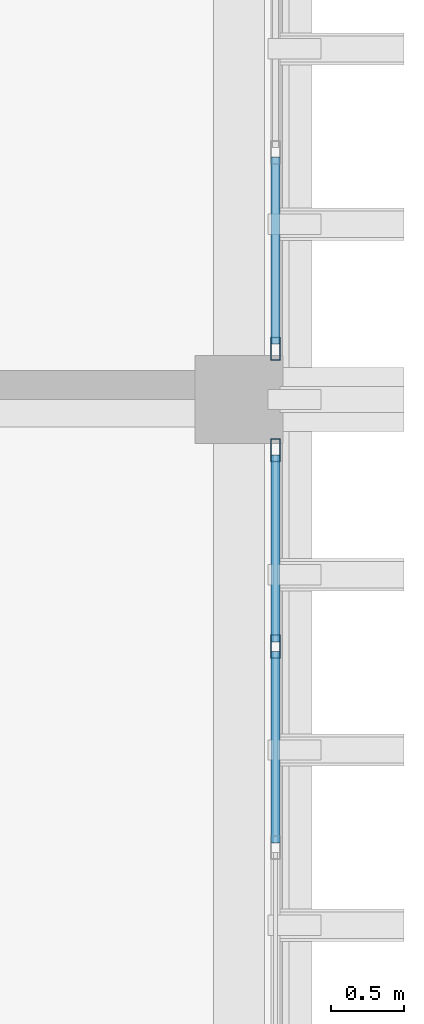
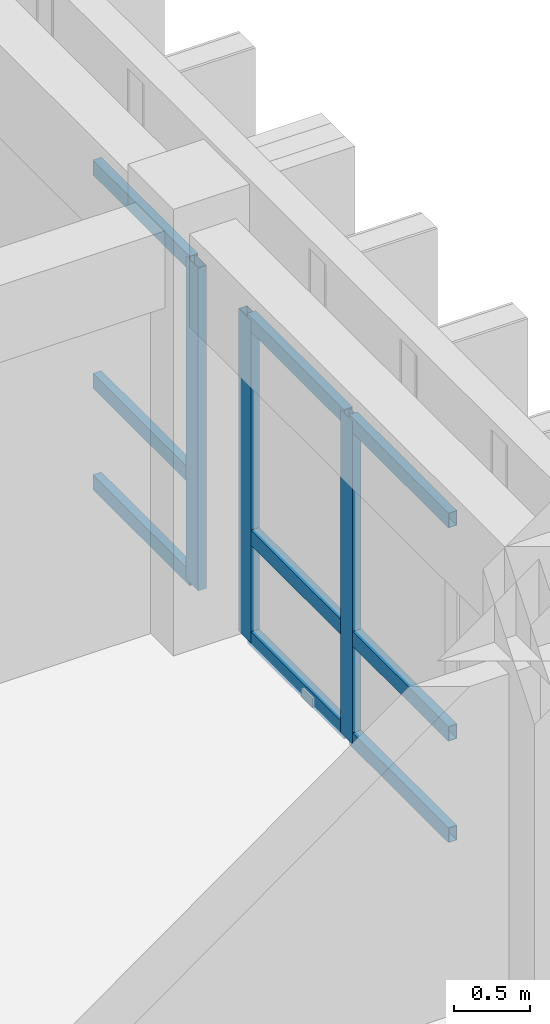
# One storey, part 31 of 53: 12 members, 2 elements without a shape of their own.
"""IFC4 building model written with IfcOpenShell, lengths in metres."""

from ifc_helpers import new_model, si_unit, direction, frame, origin, origin_2d, place, context, subcontext, project, spatial, hollow_rectangle, extrude, material, layer, layer_set, material_profile, profile_set, type_object, element, aggregate, save


model = new_model("IFC4")

# Units and contexts
model_context = context("Model", 3, precision=1e-05, world=origin(), true_north=direction((0.0, 1.0)))
body_context = subcontext(model_context, "Body", "Model", "MODEL_VIEW")
ifc_project = project(units=[si_unit("LENGTHUNIT", "METRE"), si_unit("AREAUNIT", "SQUARE_METRE"), si_unit("VOLUMEUNIT", "CUBIC_METRE"), si_unit("PLANEANGLEUNIT", "RADIAN"), si_unit("MASSUNIT", "GRAM", prefix="KILO")], contexts=[model_context])

# Site, building, storey
site_placement = place(None, origin())
site = spatial("IfcSite", under=ifc_project, at=site_placement, CompositionType="ELEMENT")
building_placement = place(site_placement, origin())
building = spatial("IfcBuilding", under=site, at=building_placement, Name="Nakhvara Creek Congress Hotel", CompositionType="ELEMENT")
storey_placement = place(building_placement, frame((0.0, 0.0, 35.39990234375)))
storey = spatial("IfcBuildingStorey", under=building, at=storey_placement, Name="L08", CompositionType="ELEMENT", Elevation=35.39990234375)

# Curtain wall, members
ifc_material_1 = material(Name="Bronze-anodised aluminium AW-6063-T6 and double-silver low-E glass", Category="aluminium")
ifc_layer = layer(ifc_material_1, 0.199951171875)
ifc_layer_set = layer_set([ifc_layer], Name="Bronze-anodised aluminium AW-6063-T6 and double-silver low-E glass")
curtain_wall_type = type_object("IfcCurtainWallType", Name="CW-HTL-UNIT", PredefinedType="USERDEFINED", material=ifc_layer_set)
curtain_wall_1_placement = place(storey_placement, origin())
curtain_wall_1 = element("IfcCurtainWall", 1, at=curtain_wall_1_placement, inside=storey, type_object=curtain_wall_type, Name="Curtain Wall CW287", ObjectType="UNITISED", PredefinedType="USERDEFINED")
ifc_material_2 = material(Name="Bronze-anodised aluminium AW-6063-T6", Category="aluminium")
ifc_material_profile_1 = material_profile(ifc_material_2, hollow_rectangle(XDim=0.06494140625, YDim=0.159912109375, WallThickness=0.00390625, at=origin_2d()), Name="ALU-MULL 65x160x4", Category="LoadBearing")
ifc_profile_set_1 = profile_set([ifc_material_profile_1], Name="Bronze-anodised aluminium AW-6063-T6")
member_type_1 = type_object("IfcMemberType", Name="CW-MULL-160", PredefinedType="MULLION", material=ifc_profile_set_1)
member_1_placement = place(storey_placement, frame((179.60009765625, 100.452392578125, 0.0), z_axis=(0.0, 0.0, 1.0), x_axis=(1.0, 0.0, 0.0)))
member_1 = element("IfcMember", 2, at=member_1_placement, type_object=member_type_1, Name="CW287 mullion 1", PredefinedType="MULLION", context=body_context, shape_type="SweptSolid", body=[
    extrude(hollow_rectangle(XDim=0.06494140625, YDim=0.159912109375, WallThickness=0.00390625, at=origin_2d()), origin(), (0.0, 0.0, 1.0), 2.60205078125),
])
member_2_placement = place(storey_placement, frame((179.60009765625, 99.1083984375, 0.0), z_axis=(0.0, 0.0, 1.0), x_axis=(1.0, 0.0, 0.0)))
member_2 = element("IfcMember", 3, at=member_2_placement, type_object=member_type_1, Name="CW287 mullion 2", PredefinedType="MULLION", context=body_context, shape_type="SweptSolid", body=[
    extrude(hollow_rectangle(XDim=0.06494140625, YDim=0.159912109375, WallThickness=0.00390625, at=origin_2d()), origin(), (0.0, 0.0, 1.0), 2.60205078125),
])

# Curtain wall, member
curtain_wall_2_placement = place(storey_placement, origin())
curtain_wall_2 = element("IfcCurtainWall", 4, at=curtain_wall_2_placement, inside=storey, type_object=curtain_wall_type, Name="Curtain Wall CW289", ObjectType="UNITISED", PredefinedType="USERDEFINED")
member_3_placement = place(storey_placement, frame((179.60009765625, 101.1474609375, 0.0), z_axis=(0.0, 0.0, 1.0), x_axis=(1.0, 0.0, 0.0)))
member_3 = element("IfcMember", 5, at=member_3_placement, type_object=member_type_1, Name="CW289 mullion 4", PredefinedType="MULLION", context=body_context, shape_type="SweptSolid", body=[
    extrude(hollow_rectangle(XDim=0.06494140625, YDim=0.159912109375, WallThickness=0.00390625, at=origin_2d()), origin(), (0.0, 0.0, 1.0), 2.60205078125),
])

# Member
ifc_material_profile_2 = material_profile(ifc_material_2, hollow_rectangle(XDim=0.06494140625, YDim=0.1201171875, WallThickness=0.00390625, at=origin_2d()), Name="ALU-TRAN 65x120x4", Category="LoadBearing")
ifc_profile_set_2 = profile_set([ifc_material_profile_2], Name="Bronze-anodised aluminium AW-6063-T6")
member_type_2 = type_object("IfcMemberType", Name="CW-TRAN-120", PredefinedType="USERDEFINED", material=ifc_profile_set_2)
member_4_placement = place(storey_placement, frame((179.60009765625, 100.419921875, 0.03271484375), z_axis=(0.0, -1.0, 0.0), x_axis=(1.0, 0.0, 0.0)))
member_4 = element("IfcMember", 6, at=member_4_placement, type_object=member_type_2, Name="CW287 transom 1.1", ObjectType="TRANSOM", PredefinedType="USERDEFINED", context=body_context, shape_type="SweptSolid", body=[
    extrude(hollow_rectangle(XDim=0.06494140625, YDim=0.1201171875, WallThickness=0.00390625, at=origin_2d()), origin(), (0.0, 0.0, 1.0), 1.279052734375),
])

member_5_placement = place(storey_placement, frame((179.60009765625, 100.419921875, 0.85009765625), z_axis=(0.0, -1.0, 0.0), x_axis=(1.0, 0.0, 0.0)))
member_5 = element("IfcMember", 7, at=member_5_placement, type_object=member_type_2, Name="CW287 transom 1.2", ObjectType="TRANSOM", PredefinedType="USERDEFINED", context=body_context, shape_type="SweptSolid", body=[
    extrude(hollow_rectangle(XDim=0.06494140625, YDim=0.1201171875, WallThickness=0.00390625, at=origin_2d()), origin(), (0.0, 0.0, 1.0), 1.279052734375),
])

member_6_placement = place(storey_placement, frame((179.60009765625, 100.419921875, 2.569580078125), z_axis=(0.0, -1.0, 0.0), x_axis=(1.0, 0.0, 0.0)))
member_6 = element("IfcMember", 8, at=member_6_placement, type_object=member_type_2, Name="CW287 transom 1.3", ObjectType="TRANSOM", PredefinedType="USERDEFINED", context=body_context, shape_type="SweptSolid", body=[
    extrude(hollow_rectangle(XDim=0.06494140625, YDim=0.1201171875, WallThickness=0.00390625, at=origin_2d()), origin(), (0.0, 0.0, 1.0), 1.279052734375),
])

member_7_placement = place(storey_placement, frame((179.60009765625, 99.075927734375, 0.03271484375), z_axis=(0.0, -1.0, 0.0), x_axis=(1.0, 0.0, 0.0)))
member_7 = element("IfcMember", 9, at=member_7_placement, type_object=member_type_2, Name="CW287 transom 2.1", ObjectType="TRANSOM", PredefinedType="USERDEFINED", context=body_context, shape_type="SweptSolid", body=[
    extrude(hollow_rectangle(XDim=0.06494140625, YDim=0.1201171875, WallThickness=0.00390625, at=origin_2d()), origin(), (0.0, 0.0, 1.0), 1.311767578125),
])

member_8_placement = place(storey_placement, frame((179.60009765625, 99.075927734375, 0.85009765625), z_axis=(0.0, -1.0, 0.0), x_axis=(1.0, 0.0, 0.0)))
member_8 = element("IfcMember", 10, at=member_8_placement, type_object=member_type_2, Name="CW287 transom 2.2", ObjectType="TRANSOM", PredefinedType="USERDEFINED", context=body_context, shape_type="SweptSolid", body=[
    extrude(hollow_rectangle(XDim=0.06494140625, YDim=0.1201171875, WallThickness=0.00390625, at=origin_2d()), origin(), (0.0, 0.0, 1.0), 1.311767578125),
])

member_9_placement = place(storey_placement, frame((179.60009765625, 99.075927734375, 2.569580078125), z_axis=(0.0, -1.0, 0.0), x_axis=(1.0, 0.0, 0.0)))
member_9 = element("IfcMember", 11, at=member_9_placement, type_object=member_type_2, Name="CW287 transom 2.3", ObjectType="TRANSOM", PredefinedType="USERDEFINED", context=body_context, shape_type="SweptSolid", body=[
    extrude(hollow_rectangle(XDim=0.06494140625, YDim=0.1201171875, WallThickness=0.00390625, at=origin_2d()), origin(), (0.0, 0.0, 1.0), 1.311767578125),
])

aggregate(curtain_wall_1, [member_1, member_2, member_4, member_5, member_6, member_7, member_8, member_9])

member_10_placement = place(storey_placement, frame((179.60009765625, 102.459228515625, 0.03271484375), z_axis=(0.0, -1.0, 0.0), x_axis=(1.0, 0.0, 0.0)))
member_10 = element("IfcMember", 12, at=member_10_placement, type_object=member_type_2, Name="CW289 transom 3.1", ObjectType="TRANSOM", PredefinedType="USERDEFINED", context=body_context, shape_type="SweptSolid", body=[
    extrude(hollow_rectangle(XDim=0.06494140625, YDim=0.1201171875, WallThickness=0.00390625, at=origin_2d()), origin(), (0.0, 0.0, 1.0), 1.279296875),
])

member_11_placement = place(storey_placement, frame((179.60009765625, 102.459228515625, 0.85009765625), z_axis=(0.0, -1.0, 0.0), x_axis=(1.0, 0.0, 0.0)))
member_11 = element("IfcMember", 13, at=member_11_placement, type_object=member_type_2, Name="CW289 transom 3.2", ObjectType="TRANSOM", PredefinedType="USERDEFINED", context=body_context, shape_type="SweptSolid", body=[
    extrude(hollow_rectangle(XDim=0.06494140625, YDim=0.1201171875, WallThickness=0.00390625, at=origin_2d()), origin(), (0.0, 0.0, 1.0), 1.279296875),
])

member_12_placement = place(storey_placement, frame((179.60009765625, 102.459228515625, 2.569580078125), z_axis=(0.0, -1.0, 0.0), x_axis=(1.0, 0.0, 0.0)))
member_12 = element("IfcMember", 14, at=member_12_placement, type_object=member_type_2, Name="CW289 transom 3.3", ObjectType="TRANSOM", PredefinedType="USERDEFINED", context=body_context, shape_type="SweptSolid", body=[
    extrude(hollow_rectangle(XDim=0.06494140625, YDim=0.1201171875, WallThickness=0.00390625, at=origin_2d()), origin(), (0.0, 0.0, 1.0), 1.279296875),
])

aggregate(curtain_wall_2, [member_3, member_10, member_11, member_12])

save(model, "model.ifc")
